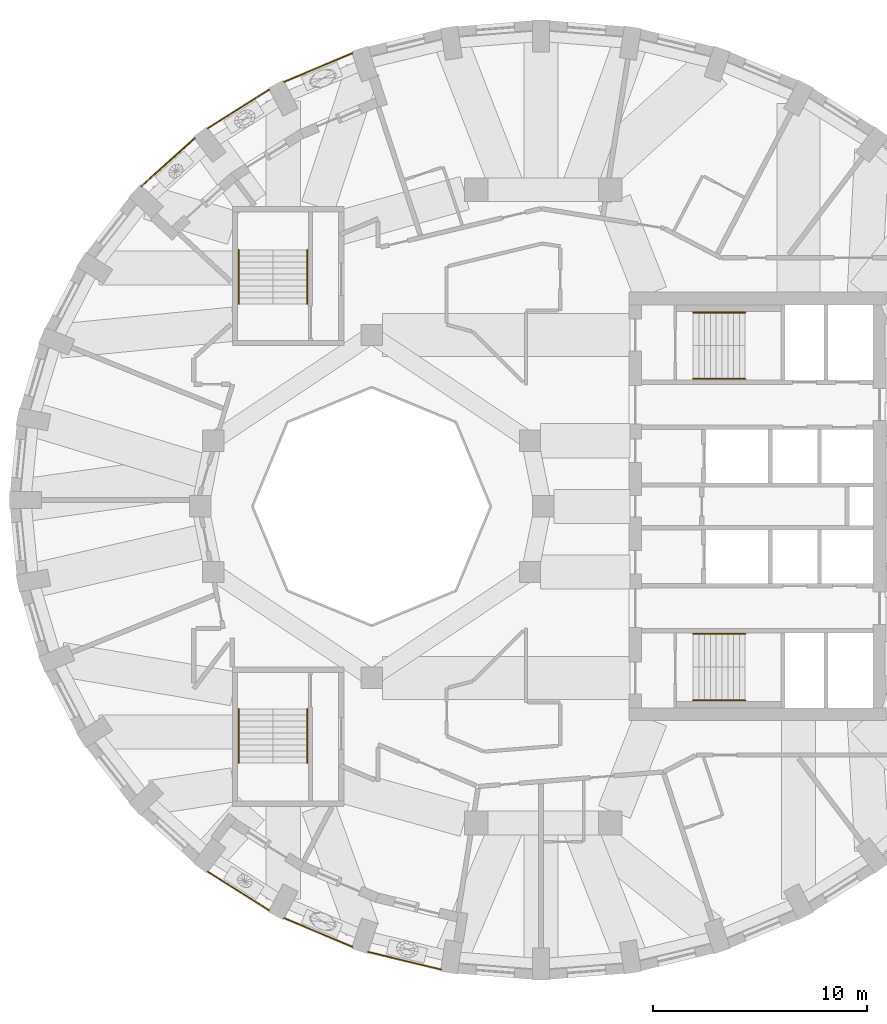
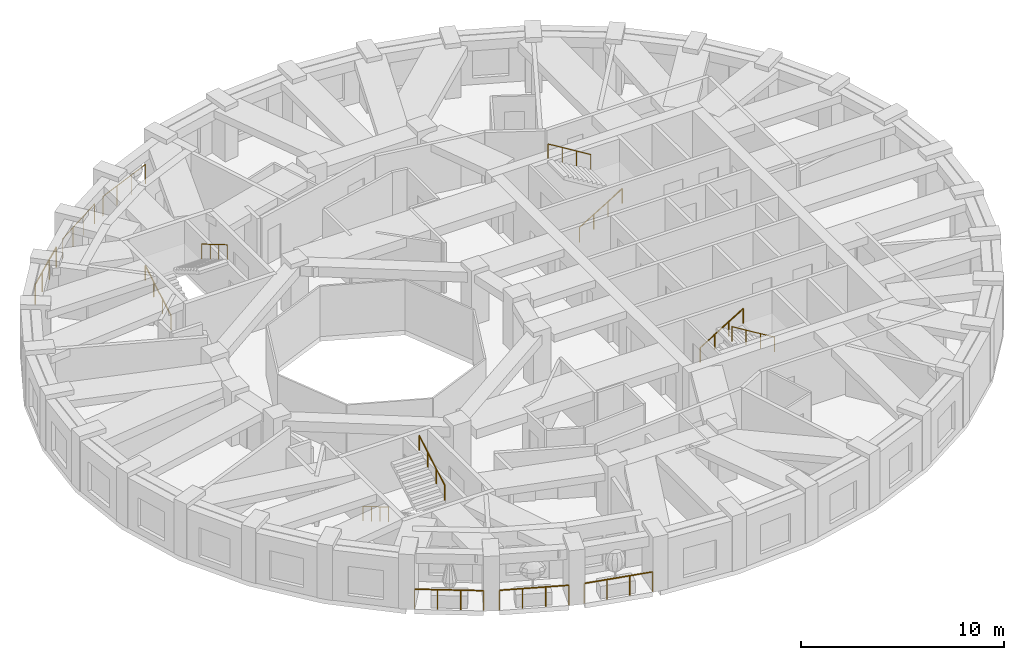
# One storey, part 10 of 12: 14 railings.
"""IFC4 building model written with IfcOpenShell, lengths in metres."""

import ifcopenshell
import ifcopenshell.guid

model = None  # the IFC model being written
_history = None  # IfcOwnerHistory: only IFC2X3 demands one
_inside = {}  # id of a spatial element -> (the spatial element, [elements in it])
_under = {}  # id of a project, library or spatial element -> (it, [spatial elements below it])
_declared = {}  # id of a project -> (the project, [libraries it declares])
_typed = {}  # id of a type object -> (the type object, [elements of that type])
_made_of = {}  # id of a material, layer set ... -> (it, [elements and type objects made of it])


def new_model(schema):
    """Start an empty IFC model of exactly this schema.

    Asked for "IFC4X3", IfcOpenShell would pick the latest addendum, in which some entities
    have other attributes; the version numbers below select the first issue.
    IFC2X3 requires an IfcOwnerHistory on every rooted entity: one is made here for all.
    """
    global model, _history
    if schema == "IFC4X3":
        model = ifcopenshell.file(schema_version=(4, 3, 0, 0))
    else:
        model = ifcopenshell.file(schema=schema)
    _inside.clear()
    _under.clear()
    _declared.clear()
    _typed.clear()
    _made_of.clear()
    _history = None
    if model.schema == "IFC2X3":
        org = make("IfcOrganization", Name="unknown")
        user = make(
            "IfcPersonAndOrganization",
            ThePerson=make("IfcPerson", FamilyName="unknown"),
            TheOrganization=org,
        )
        app = make(
            "IfcApplication",
            ApplicationDeveloper=org,
            Version="unknown",
            ApplicationFullName="unknown",
            ApplicationIdentifier="unknown",
        )
        _history = make(
            "IfcOwnerHistory",
            OwningUser=user,
            OwningApplication=app,
            ChangeAction="ADDED",
            CreationDate=0,
        )
    return model


def make(cls, **values):
    """One entity of the class cls with the attributes given. An attribute that is None is left unset."""
    return model.create_entity(
        cls, **{name: value for name, value in values.items() if value is not None}
    )


def rooted(cls, **values):
    """An entity with a GlobalId (a new one), such as an element, a storey or a relation."""
    return make(cls, GlobalId=ifcopenshell.guid.new(), OwnerHistory=_history, **values)


def si_unit(unit_type, name, prefix=None):
    """IfcSIUnit, for example si_unit("LENGTHUNIT", "METRE", prefix="MILLI")."""
    return make("IfcSIUnit", UnitType=unit_type, Prefix=prefix, Name=name)


def assignment(units):
    """IfcUnitAssignment: the units of a project."""
    return None if units is None else make("IfcUnitAssignment", Units=units)


def point(xyz):
    """IfcCartesianPoint."""
    return None if xyz is None else make("IfcCartesianPoint", Coordinates=xyz)


def direction(xyz):
    """IfcDirection."""
    return None if xyz is None else make("IfcDirection", DirectionRatios=xyz)


def frame(location, z_axis=None, x_axis=None):
    """IfcAxis2Placement3D, a coordinate frame: its origin and axes. An axis left out is left unset."""
    return make(
        "IfcAxis2Placement3D",
        Location=point(location),
        Axis=direction(z_axis),
        RefDirection=direction(x_axis),
    )


def frame_2d(location, x_axis=None):
    """IfcAxis2Placement2D, a coordinate frame in the plane: its origin and x axis."""
    return make(
        "IfcAxis2Placement2D", Location=point(location), RefDirection=direction(x_axis)
    )


def origin():
    """The frame at (0, 0, 0) with its axes left unset."""
    return frame((0.0, 0.0, 0.0))


def origin_2d():
    """The frame at (0, 0) in the plane with its x axis left unset."""
    return frame_2d((0.0, 0.0))


def place(relative_to, where):
    """IfcLocalPlacement: puts the frame where relative to a parent placement (None: the world)."""
    return make(
        "IfcLocalPlacement", PlacementRelTo=relative_to, RelativePlacement=where
    )


def context(
    kind, dimensions, precision=None, world=None, true_north=None, identifier=None
):
    """IfcGeometricRepresentationContext, for example the 3D "Model" context."""
    return make(
        "IfcGeometricRepresentationContext",
        ContextIdentifier=identifier,
        ContextType=kind,
        CoordinateSpaceDimension=dimensions,
        Precision=precision,
        WorldCoordinateSystem=world,
        TrueNorth=true_north,
    )


def subcontext(parent, identifier, kind, view, scale=None):
    """IfcGeometricRepresentationSubContext, for example "Body" below "Model"."""
    return make(
        "IfcGeometricRepresentationSubContext",
        ContextIdentifier=identifier,
        ContextType=kind,
        ParentContext=parent,
        TargetScale=scale,
        TargetView=view,
    )


def project(units=None, contexts=None):
    """IfcProject with its units and contexts."""
    return rooted(
        "IfcProject",
        Name="project",
        RepresentationContexts=contexts,
        UnitsInContext=assignment(units),
    )


def spatial(cls, under=None, at=None, **own):
    """A site, building, storey or space (cls), placed at a placement, below another one or the project."""
    s = rooted(cls, ObjectPlacement=at, **own)
    if under is not None:
        _under.setdefault(under.id(), (under, []))[1].append(s)
    return s


def profile(cls, at=None, kind="AREA", **sizes):
    """A parametric profile (cls). Its sizes go by their IFC names, for example OverallWidth=200.0."""
    return make(cls, ProfileType=kind, Position=at, **sizes)


def circle(**sizes):
    """IfcCircleProfileDef."""
    return profile("IfcCircleProfileDef", **sizes)


def extrude(swept, where, along, depth):
    """IfcExtrudedAreaSolid: the profile swept, set in the frame where, extruded along a direction by depth."""
    return make(
        "IfcExtrudedAreaSolid",
        SweptArea=swept,
        Position=where,
        ExtrudedDirection=direction(along),
        Depth=depth,
    )


def shape(context_of_items, identifier, shape_type, items):
    """IfcShapeRepresentation: the items that make up one representation, for example the "Body"."""
    return make(
        "IfcShapeRepresentation",
        ContextOfItems=context_of_items,
        RepresentationIdentifier=identifier,
        RepresentationType=shape_type,
        Items=items,
    )


def material(Name=None, Category=None):
    """IfcMaterial."""
    return make("IfcMaterial", Name=Name, Category=Category)


def made_of(thing, what):
    """Note that an element or type object is made of a material, layer set ...; save() writes the relation."""
    if what is not None:
        _made_of.setdefault(what.id(), (what, []))[1].append(thing)
    return thing


def type_object(cls, material=None, **own):
    """A type object (cls), such as IfcWallType, which elements share."""
    return made_of(rooted(cls, **own), material)


def element(
    cls,
    number,
    at=None,
    inside=None,
    cuts=None,
    type_object=None,
    material=None,
    context=None,
    identifier="Body",
    shape_type=None,
    held_by="IfcProductDefinitionShape",
    body=None,
    shapes=None,
    **own,
):
    """One element of the class cls, such as IfcWall. Its Tag is "e" and its number.

    at: its placement. inside: the storey or other place that contains it. cuts: it is an
    opening in that element (IfcRelVoidsElement). A single representation is given by context,
    identifier, shape_type and body (its items); several are given by shapes. held_by: the class
    of the entity that holds the representations. save() writes the other relations.
    """
    e = rooted(cls, Tag="e%d" % number, ObjectPlacement=at, **own)
    if body is not None:
        shapes = [shape(context, identifier, shape_type, body)]
    if shapes is not None:
        e.Representation = make(held_by, Representations=shapes)
    if inside is not None:
        _inside.setdefault(inside.id(), (inside, []))[1].append(e)
    if cuts is not None:
        rooted(
            "IfcRelVoidsElement", RelatingBuildingElement=cuts, RelatedOpeningElement=e
        )
    if type_object is not None:
        _typed.setdefault(type_object.id(), (type_object, []))[1].append(e)
    return made_of(e, material)


def aggregate(whole, parts):
    """IfcRelAggregates: a whole, such as a stair, and the parts it consists of."""
    return rooted("IfcRelAggregates", RelatingObject=whole, RelatedObjects=parts)


def save(model, path):
    """Write the relations noted so far, then the file.

    IfcRelAggregates (storeys below a building ...), IfcRelContainedInSpatialStructure (elements
    in a storey), IfcRelDefinesByType, IfcRelAssociatesMaterial and IfcRelDeclares: one each for
    every whole, place, type object, material and project.
    """
    for whole, parts in _under.values():
        aggregate(whole, parts)
    for where, things in _inside.values():
        rooted(
            "IfcRelContainedInSpatialStructure",
            RelatedElements=things,
            RelatingStructure=where,
        )
    for kind, things in _typed.values():
        rooted("IfcRelDefinesByType", RelatedObjects=things, RelatingType=kind)
    for what, things in _made_of.values():
        rooted("IfcRelAssociatesMaterial", RelatedObjects=things, RelatingMaterial=what)
    for by, libraries in _declared.values():
        rooted("IfcRelDeclares", RelatingContext=by, RelatedDefinitions=libraries)
    model.write(path)


model = new_model("IFC4")

# Units and contexts
model_context = context("Model", 3, precision=1e-05, world=origin(), true_north=direction((0.0, 1.0)))
body_context = subcontext(model_context, "Body", "Model", "MODEL_VIEW")
ifc_project = project(units=[si_unit("LENGTHUNIT", "METRE"), si_unit("AREAUNIT", "SQUARE_METRE"), si_unit("VOLUMEUNIT", "CUBIC_METRE"), si_unit("PLANEANGLEUNIT", "RADIAN"), si_unit("MASSUNIT", "GRAM", prefix="KILO")], contexts=[model_context])

# Site, building, storey
site_placement = place(None, origin())
site = spatial("IfcSite", under=ifc_project, at=site_placement, CompositionType="ELEMENT")
building_placement = place(site_placement, origin())
building = spatial("IfcBuilding", under=site, at=building_placement, Name="Taillehof Tower", CompositionType="ELEMENT")
storey_placement = place(building_placement, frame((0.0, 0.0, 253.10009765625)))
storey = spatial("IfcBuildingStorey", under=building, at=storey_placement, Name="L72", CompositionType="ELEMENT", Elevation=253.10009765625)

# Railings
ifc_material_1 = material(Name="Stainless steel balustrade", Category="steel")
railing_type_1 = type_object("IfcRailingType", Name="Balcony guard 1200", PredefinedType="GUARDRAIL", material=ifc_material_1)
railing_1_placement = place(storey_placement, frame((-8.892578125, 21.152099609375, 0.0)))
element("IfcRailing", 1, at=railing_1_placement, inside=storey, type_object=railing_type_1, Name="Balcony guard L72 bay 12", PredefinedType="GUARDRAIL", context=body_context, shape_type="SweptSolid", body=[
    extrude(circle(Radius=0.02392578125, at=origin_2d()), frame((0.0, 0.0, 1.17578125), z_axis=(-0.922020278687, -0.38714158352, 0.0), x_axis=(0.38714158352, -0.922020278687, 0.0)), (0.0, 0.0, 1.0), 3.47021484375),
    extrude(circle(Radius=0.02099609375, at=origin_2d()), origin(), (0.0, 0.0, 1.0), 1.15185546875),
    extrude(circle(Radius=0.02099609375, at=origin_2d()), frame((-1.066650390625, -0.44775390625, 0.0)), (0.0, 0.0, 1.0), 1.15185546875),
    extrude(circle(Radius=0.02099609375, at=origin_2d()), frame((-2.133056640625, -0.895751953125, 0.0)), (0.0, 0.0, 1.0), 1.15185546875),
    extrude(circle(Radius=0.02099609375, at=origin_2d()), frame((-3.19970703125, -1.343505859375, 0.0)), (0.0, 0.0, 1.0), 1.15185546875),
])
railing_2_placement = place(storey_placement, frame((-12.7666015625, 19.457763671875, 0.0)))
element("IfcRailing", 2, at=railing_2_placement, inside=storey, type_object=railing_type_1, Name="Balcony guard L72 bay 13", PredefinedType="GUARDRAIL", context=body_context, shape_type="SweptSolid", body=[
    extrude(circle(Radius=0.02392578125, at=origin_2d()), frame((0.0, 0.0, 1.17578125), z_axis=(-0.845913673661, -0.533319844665, 0.0), x_axis=(0.533319844665, -0.845913673661, 0.0)), (0.0, 0.0, 1.0), 3.412353515625),
    extrude(circle(Radius=0.02099609375, at=origin_2d()), origin(), (0.0, 0.0, 1.0), 1.15185546875),
    extrude(circle(Radius=0.02099609375, at=origin_2d()), frame((-0.962158203125, -0.606689453125, 0.0)), (0.0, 0.0, 1.0), 1.15185546875),
    extrude(circle(Radius=0.02099609375, at=origin_2d()), frame((-1.92431640625, -1.213134765625, 0.0)), (0.0, 0.0, 1.0), 1.15185546875),
    extrude(circle(Radius=0.02099609375, at=origin_2d()), frame((-2.886474609375, -1.81982421875, 0.0)), (0.0, 0.0, 1.0), 1.15185546875),
])
railing_3_placement = place(storey_placement, frame((-16.259033203125, 17.179443359375, 0.0)))
element("IfcRailing", 3, at=railing_3_placement, inside=storey, type_object=railing_type_1, Name="Balcony guard L72 bay 14", PredefinedType="GUARDRAIL", context=body_context, shape_type="SweptSolid", body=[
    extrude(circle(Radius=0.02392578125, at=origin_2d()), frame((0.0, 0.0, 1.17578125), z_axis=(-0.743174379556, -0.669097781771, 0.0), x_axis=(0.669097781771, -0.743174379556, 0.0)), (0.0, 0.0, 1.0), 3.34521484375),
    extrude(circle(Radius=0.02099609375, at=origin_2d()), origin(), (0.0, 0.0, 1.0), 1.15185546875),
    extrude(circle(Radius=0.02099609375, at=origin_2d()), frame((-0.82861328125, -0.74609375, 0.0)), (0.0, 0.0, 1.0), 1.15185546875),
    extrude(circle(Radius=0.02099609375, at=origin_2d()), frame((-1.657470703125, -1.4921875, 0.0)), (0.0, 0.0, 1.0), 1.15185546875),
    extrude(circle(Radius=0.02099609375, at=origin_2d()), frame((-2.486083984375, -2.23828125, 0.0)), (0.0, 0.0, 1.0), 1.15185546875),
])
railing_4_placement = place(storey_placement, frame((-15.653076171875, -17.0380859375, 0.0)))
element("IfcRailing", 4, at=railing_4_placement, inside=storey, type_object=railing_type_1, Name="Balcony guard L72 bay 24", PredefinedType="GUARDRAIL", context=body_context, shape_type="SweptSolid", body=[
    extrude(circle(Radius=0.02392578125, at=origin_2d()), frame((0.0, 0.0, 1.17578125), z_axis=(0.845945951754, -0.533268644035, 0.0), x_axis=(0.533268644035, 0.845945951754, 0.0)), (0.0, 0.0, 1.0), 3.412109375),
    extrude(circle(Radius=0.02099609375, at=origin_2d()), origin(), (0.0, 0.0, 1.0), 1.15185546875),
    extrude(circle(Radius=0.02099609375, at=origin_2d()), frame((0.962158203125, -0.6064453125, 0.0)), (0.0, 0.0, 1.0), 1.15185546875),
    extrude(circle(Radius=0.02099609375, at=origin_2d()), frame((1.92431640625, -1.213134765625, 0.0)), (0.0, 0.0, 1.0), 1.15185546875),
    extrude(circle(Radius=0.02099609375, at=origin_2d()), frame((2.886474609375, -1.819580078125, 0.0)), (0.0, 0.0, 1.0), 1.15185546875),
])
railing_5_placement = place(storey_placement, frame((-12.09228515625, -19.208740234375, 0.0)))
element("IfcRailing", 5, at=railing_5_placement, inside=storey, type_object=railing_type_1, Name="Balcony guard L72 bay 25", PredefinedType="GUARDRAIL", context=body_context, shape_type="SweptSolid", body=[
    extrude(circle(Radius=0.02392578125, at=origin_2d()), frame((0.0, 0.0, 1.17578125), z_axis=(0.92204538939, -0.387081774182, 0.0), x_axis=(0.387081774182, 0.92204538939, 0.0)), (0.0, 0.0, 1.0), 3.47021484375),
    extrude(circle(Radius=0.02099609375, at=origin_2d()), origin(), (0.0, 0.0, 1.0), 1.15185546875),
    extrude(circle(Radius=0.02099609375, at=origin_2d()), frame((1.066650390625, -0.44775390625, 0.0)), (0.0, 0.0, 1.0), 1.15185546875),
    extrude(circle(Radius=0.02099609375, at=origin_2d()), frame((2.133056640625, -0.8955078125, 0.0)), (0.0, 0.0, 1.0), 1.15185546875),
    extrude(circle(Radius=0.02099609375, at=origin_2d()), frame((3.19970703125, -1.34326171875, 0.0)), (0.0, 0.0, 1.0), 1.15185546875),
])
railing_6_placement = place(storey_placement, frame((-8.17041015625, -20.7890625, 0.0)))
element("IfcRailing", 6, at=railing_6_placement, inside=storey, type_object=railing_type_1, Name="Balcony guard L72 bay 26", PredefinedType="GUARDRAIL", context=body_context, shape_type="SweptSolid", body=[
    extrude(circle(Radius=0.02392578125, at=origin_2d()), frame((0.0, 0.0, 1.17578125), z_axis=(0.972120457901, -0.234482014938, 0.0), x_axis=(0.234482014938, 0.972120457901, 0.0)), (0.0, 0.0, 1.0), 3.512939453125),
    extrude(circle(Radius=0.02099609375, at=origin_2d()), origin(), (0.0, 0.0, 1.0), 1.15185546875),
    extrude(circle(Radius=0.02099609375, at=origin_2d()), frame((1.138427734375, -0.274658203125, 0.0)), (0.0, 0.0, 1.0), 1.15185546875),
    extrude(circle(Radius=0.02099609375, at=origin_2d()), frame((2.276611328125, -0.549072265625, 0.0)), (0.0, 0.0, 1.0), 1.15185546875),
    extrude(circle(Radius=0.02099609375, at=origin_2d()), frame((3.4150390625, -0.82373046875, 0.0)), (0.0, 0.0, 1.0), 1.15185546875),
])
ifc_material_2 = material(Name="Stainless steel", Category="steel")
railing_type_2 = type_object("IfcRailingType", Name="Stair handrail 900", PredefinedType="HANDRAIL", material=ifc_material_2)
railing_7_placement = place(storey_placement, frame((7.0, 5.949951171875, 0.164794921875)))
element("IfcRailing", 7, at=railing_7_placement, inside=storey, type_object=railing_type_2, Name="Stair S1 handrail", PredefinedType="HANDRAIL", context=body_context, shape_type="SweptSolid", body=[
    extrude(circle(Radius=0.02392578125, at=origin_2d()), frame((0.0, 0.0, 0.8759765625), z_axis=(0.853258522278, 0.0, 0.521488153423), x_axis=(0.0, 1.0, 0.0)), (0.0, 0.0, 1.0), 2.847900390625),
    extrude(circle(Radius=0.02099609375, at=origin_2d()), origin(), (0.0, 0.0, 1.0), 0.851806640625),
    extrude(circle(Radius=0.02099609375, at=origin_2d()), frame((0.81005859375, 0.0, 0.4951171875)), (0.0, 0.0, 1.0), 0.851806640625),
    extrude(circle(Radius=0.02099609375, at=origin_2d()), frame((1.619873046875, 0.0, 0.989990234375)), (0.0, 0.0, 1.0), 0.851806640625),
    extrude(circle(Radius=0.02099609375, at=origin_2d()), frame((2.429931640625, 0.0, 1.485107421875)), (0.0, 0.0, 1.0), 0.851806640625),
])
railing_8_placement = place(storey_placement, frame((9.429931640625, 9.050048828125, 1.81494140625)))
element("IfcRailing", 8, at=railing_8_placement, inside=storey, type_object=railing_type_2, Name="Stair S1 handrail", PredefinedType="HANDRAIL", context=body_context, shape_type="SweptSolid", body=[
    extrude(circle(Radius=0.02392578125, at=origin_2d()), frame((0.0, 0.0, 0.8759765625), z_axis=(-0.853296667938, 0.0, 0.521425734392), x_axis=(0.0, -1.0, 0.0)), (0.0, 0.0, 1.0), 2.84765625),
    extrude(circle(Radius=0.02099609375, at=origin_2d()), origin(), (0.0, 0.0, 1.0), 0.851806640625),
    extrude(circle(Radius=0.02099609375, at=origin_2d()), frame((-0.81005859375, 0.0, 0.494873046875)), (0.0, 0.0, 1.0), 0.851806640625),
    extrude(circle(Radius=0.02099609375, at=origin_2d()), frame((-1.619873046875, 0.0, 0.989990234375)), (0.0, 0.0, 1.0), 0.851806640625),
    extrude(circle(Radius=0.02099609375, at=origin_2d()), frame((-2.429931640625, 0.0, 1.48486328125)), (0.0, 0.0, 1.0), 0.851806640625),
])
railing_9_placement = place(storey_placement, frame((7.0, -5.949951171875, 0.164794921875)))
element("IfcRailing", 9, at=railing_9_placement, inside=storey, type_object=railing_type_2, Name="Stair S2 handrail", PredefinedType="HANDRAIL", context=body_context, shape_type="SweptSolid", body=[
    extrude(circle(Radius=0.02392578125, at=origin_2d()), frame((0.0, 0.0, 0.8759765625), z_axis=(0.853258522278, 0.0, 0.521488153423), x_axis=(0.0, 1.0, 0.0)), (0.0, 0.0, 1.0), 2.847900390625),
    extrude(circle(Radius=0.02099609375, at=origin_2d()), origin(), (0.0, 0.0, 1.0), 0.851806640625),
    extrude(circle(Radius=0.02099609375, at=origin_2d()), frame((0.81005859375, 0.0, 0.4951171875)), (0.0, 0.0, 1.0), 0.851806640625),
    extrude(circle(Radius=0.02099609375, at=origin_2d()), frame((1.619873046875, 0.0, 0.989990234375)), (0.0, 0.0, 1.0), 0.851806640625),
    extrude(circle(Radius=0.02099609375, at=origin_2d()), frame((2.429931640625, 0.0, 1.485107421875)), (0.0, 0.0, 1.0), 0.851806640625),
])
railing_10_placement = place(storey_placement, frame((9.429931640625, -9.050048828125, 1.81494140625)))
element("IfcRailing", 10, at=railing_10_placement, inside=storey, type_object=railing_type_2, Name="Stair S2 handrail", PredefinedType="HANDRAIL", context=body_context, shape_type="SweptSolid", body=[
    extrude(circle(Radius=0.02392578125, at=origin_2d()), frame((0.0, 0.0, 0.8759765625), z_axis=(-0.853296667938, 0.0, 0.521425734392), x_axis=(0.0, -1.0, 0.0)), (0.0, 0.0, 1.0), 2.84765625),
    extrude(circle(Radius=0.02099609375, at=origin_2d()), origin(), (0.0, 0.0, 1.0), 0.851806640625),
    extrude(circle(Radius=0.02099609375, at=origin_2d()), frame((-0.81005859375, 0.0, 0.494873046875)), (0.0, 0.0, 1.0), 0.851806640625),
    extrude(circle(Radius=0.02099609375, at=origin_2d()), frame((-1.619873046875, 0.0, 0.989990234375)), (0.0, 0.0, 1.0), 0.851806640625),
    extrude(circle(Radius=0.02099609375, at=origin_2d()), frame((-2.429931640625, 0.0, 1.48486328125)), (0.0, 0.0, 1.0), 0.851806640625),
])
railing_11_placement = place(storey_placement, frame((-14.199951171875, 9.449951171875, 0.164794921875)))
element("IfcRailing", 11, at=railing_11_placement, inside=storey, type_object=railing_type_2, Name="Stair S3 handrail", PredefinedType="HANDRAIL", context=body_context, shape_type="SweptSolid", body=[
    extrude(circle(Radius=0.02392578125, at=origin_2d()), frame((0.0, 0.0, 0.8759765625), z_axis=(0.0, 0.86152411907, 0.507716645641), x_axis=(-1.0, 0.0, 0.0)), (0.0, 0.0, 1.0), 2.925048828125),
    extrude(circle(Radius=0.02099609375, at=origin_2d()), origin(), (0.0, 0.0, 1.0), 0.851806640625),
    extrude(circle(Radius=0.02099609375, at=origin_2d()), frame((0.0, 0.840087890625, 0.4951171875)), (0.0, 0.0, 1.0), 0.851806640625),
    extrude(circle(Radius=0.02099609375, at=origin_2d()), frame((0.0, 1.679931640625, 0.989990234375)), (0.0, 0.0, 1.0), 0.851806640625),
    extrude(circle(Radius=0.02099609375, at=origin_2d()), frame((0.0, 2.52001953125, 1.485107421875)), (0.0, 0.0, 1.0), 0.851806640625),
])
railing_12_placement = place(storey_placement, frame((-11.0, 11.969970703125, 1.81494140625)))
element("IfcRailing", 12, at=railing_12_placement, inside=storey, type_object=railing_type_2, Name="Stair S3 handrail", PredefinedType="HANDRAIL", context=body_context, shape_type="SweptSolid", body=[
    extrude(circle(Radius=0.02392578125, at=origin_2d()), frame((0.0, 0.0, 0.8759765625), z_axis=(0.0, -0.861560626758, 0.507654692109), x_axis=(1.0, 0.0, 0.0)), (0.0, 0.0, 1.0), 2.925048828125),
    extrude(circle(Radius=0.02099609375, at=origin_2d()), origin(), (0.0, 0.0, 1.0), 0.851806640625),
    extrude(circle(Radius=0.02099609375, at=origin_2d()), frame((0.0, -0.840087890625, 0.494873046875)), (0.0, 0.0, 1.0), 0.851806640625),
    extrude(circle(Radius=0.02099609375, at=origin_2d()), frame((0.0, -1.679931640625, 0.989990234375)), (0.0, 0.0, 1.0), 0.851806640625),
    extrude(circle(Radius=0.02099609375, at=origin_2d()), frame((0.0, -2.52001953125, 1.48486328125)), (0.0, 0.0, 1.0), 0.851806640625),
])
railing_13_placement = place(storey_placement, frame((-14.199951171875, -9.449951171875, 0.164794921875)))
element("IfcRailing", 13, at=railing_13_placement, inside=storey, type_object=railing_type_2, Name="Stair S4 handrail", PredefinedType="HANDRAIL", context=body_context, shape_type="SweptSolid", body=[
    extrude(circle(Radius=0.02392578125, at=origin_2d()), frame((0.0, 0.0, 0.8759765625), z_axis=(0.0, -0.86152411907, 0.507716645641), x_axis=(1.0, 0.0, 0.0)), (0.0, 0.0, 1.0), 2.925048828125),
    extrude(circle(Radius=0.02099609375, at=origin_2d()), origin(), (0.0, 0.0, 1.0), 0.851806640625),
    extrude(circle(Radius=0.02099609375, at=origin_2d()), frame((0.0, -0.840087890625, 0.4951171875)), (0.0, 0.0, 1.0), 0.851806640625),
    extrude(circle(Radius=0.02099609375, at=origin_2d()), frame((0.0, -1.679931640625, 0.989990234375)), (0.0, 0.0, 1.0), 0.851806640625),
    extrude(circle(Radius=0.02099609375, at=origin_2d()), frame((0.0, -2.52001953125, 1.485107421875)), (0.0, 0.0, 1.0), 0.851806640625),
])
railing_14_placement = place(storey_placement, frame((-11.0, -11.969970703125, 1.81494140625)))
element("IfcRailing", 14, at=railing_14_placement, inside=storey, type_object=railing_type_2, Name="Stair S4 handrail", PredefinedType="HANDRAIL", context=body_context, shape_type="SweptSolid", body=[
    extrude(circle(Radius=0.02392578125, at=origin_2d()), frame((0.0, 0.0, 0.8759765625), z_axis=(0.0, 0.861560626758, 0.507654692109), x_axis=(-1.0, 0.0, 0.0)), (0.0, 0.0, 1.0), 2.925048828125),
    extrude(circle(Radius=0.02099609375, at=origin_2d()), origin(), (0.0, 0.0, 1.0), 0.851806640625),
    extrude(circle(Radius=0.02099609375, at=origin_2d()), frame((0.0, 0.840087890625, 0.494873046875)), (0.0, 0.0, 1.0), 0.851806640625),
    extrude(circle(Radius=0.02099609375, at=origin_2d()), frame((0.0, 1.679931640625, 0.989990234375)), (0.0, 0.0, 1.0), 0.851806640625),
    extrude(circle(Radius=0.02099609375, at=origin_2d()), frame((0.0, 2.52001953125, 1.48486328125)), (0.0, 0.0, 1.0), 0.851806640625),
])

save(model, "model.ifc")
